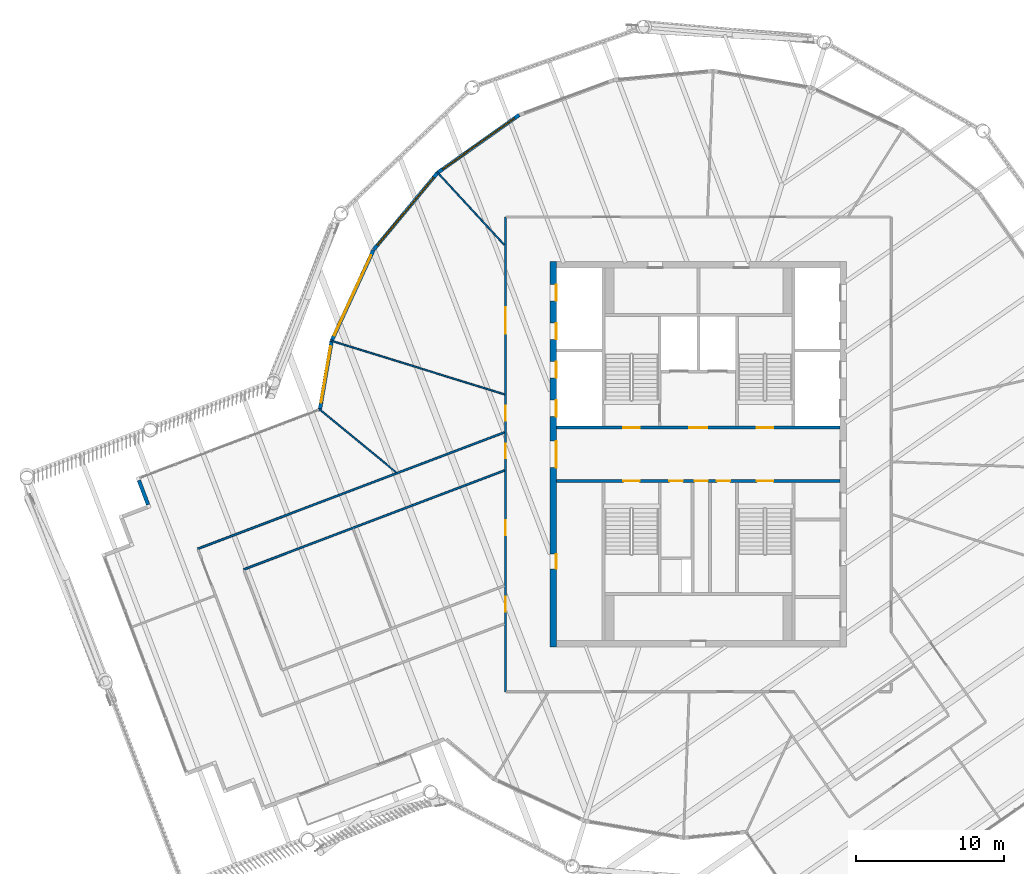
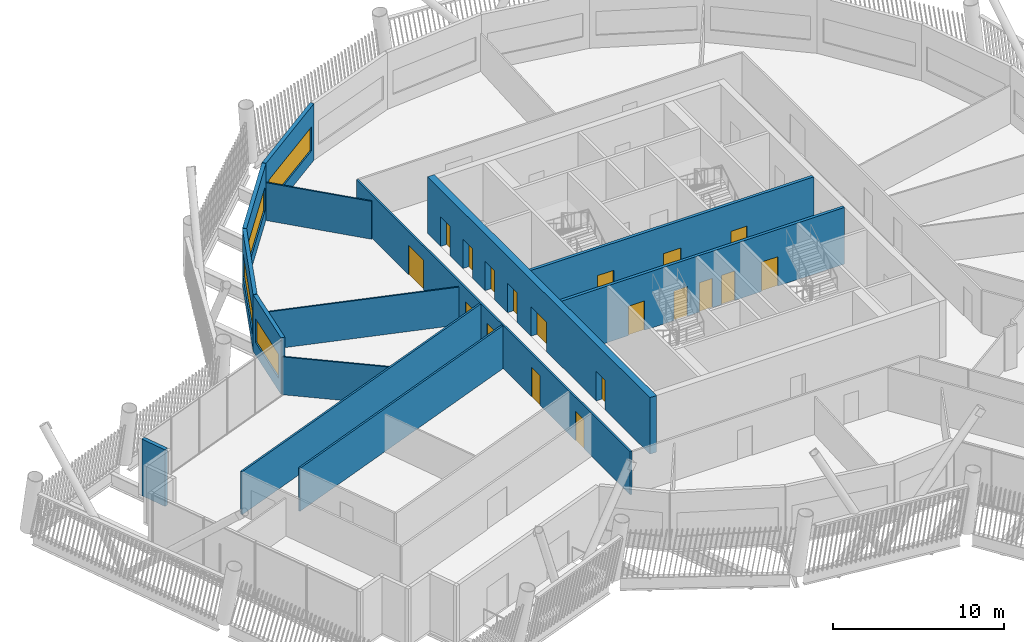
# One storey, part 18 of 33: 19 doors, 14 walls, 4 windows, 23 openings.
"""IFC4 building model written with IfcOpenShell, lengths in metres."""

from ifc_helpers import new_model, si_unit, direction, frame, frame_2d, origin, place, context, subcontext, project, spatial, rectangle, extrude, material, layer, layer_set, type_object, element, fill, save


model = new_model("IFC4")

# Units and contexts
model_context = context("Model", 3, precision=1e-05, world=origin(), true_north=direction((0.0, 1.0)))
body_context = subcontext(model_context, "Body", "Model", "MODEL_VIEW")
ifc_project = project(units=[si_unit("LENGTHUNIT", "METRE"), si_unit("AREAUNIT", "SQUARE_METRE"), si_unit("VOLUMEUNIT", "CUBIC_METRE"), si_unit("PLANEANGLEUNIT", "RADIAN"), si_unit("MASSUNIT", "GRAM", prefix="KILO")], contexts=[model_context])

# Site, building, storey
site_placement = place(None, origin())
site = spatial("IfcSite", under=ifc_project, at=site_placement, CompositionType="ELEMENT")
building_placement = place(site_placement, origin())
building = spatial("IfcBuilding", under=site, at=building_placement, Name="Tarsis Ring Headquarters", CompositionType="ELEMENT")
storey_placement = place(building_placement, frame((0.0, 0.0, 369.199951171875)))
storey = spatial("IfcBuildingStorey", under=building, at=storey_placement, Name="L87", CompositionType="ELEMENT", Elevation=369.199951171875)

# Wall, openings, doors
ifc_material_1 = material(Name="Concrete C50/60", Category="concrete")
ifc_layer_1 = layer(ifc_material_1, 0.449951171875)
ifc_layer_set_1 = layer_set([ifc_layer_1], Name="Core wall 450 C50/60")
wall_type_1 = type_object("IfcWallType", Name="Core wall 450 C50/60", PredefinedType="SHEAR", material=ifc_layer_set_1)
wall_1_placement = place(storey_placement, frame((-9.77490234375, -13.0, 0.0), z_axis=(0.0, 0.0, 1.0), x_axis=(0.0, 1.0, 0.0)))
wall_1 = element("IfcWall", 1, at=wall_1_placement, inside=storey, type_object=wall_type_1, Name="Core wall OW", PredefinedType="SHEAR", context=body_context, shape_type="SweptSolid", body=[
    extrude(rectangle(XDim=26.0, YDim=0.449951171875, at=frame_2d((13.0, 0.0))), origin(), (0.0, 0.0, 1.0), 4.0400390625),
])
opening_1_placement = place(wall_1_placement, frame((5.27490234375, 0.0, 0.0)))
opening_1 = element("IfcOpeningElement", 2, at=opening_1_placement, cuts=wall_1, Name="Opening L87-C01", PredefinedType="OPENING", context=body_context, shape_type="SweptSolid", body=[
    extrude(rectangle(XDim=1.0, YDim=2.10009765625, at=frame_2d((0.5, 1.050048828125))), frame((0.0, 0.23486328125, 0.0), z_axis=(0.0, -1.0, 0.0), x_axis=(1.0, 0.0, 0.0)), (0.0, 0.0, 1.0), 0.469970703125),
])
opening_2_placement = place(wall_1_placement, frame((12.10009765625, 0.0, 0.0)))
opening_2 = element("IfcOpeningElement", 3, at=opening_2_placement, cuts=wall_1, Name="Opening L87-C02", PredefinedType="OPENING", context=body_context, shape_type="SweptSolid", body=[
    extrude(rectangle(XDim=1.800048828125, YDim=2.10009765625, at=frame_2d((0.89990234375, 1.050048828125))), frame((0.0, 0.23486328125, 0.0), z_axis=(0.0, -1.0, 0.0), x_axis=(1.0, 0.0, 0.0)), (0.0, 0.0, 1.0), 0.469970703125),
])
opening_3_placement = place(wall_1_placement, frame((15.550048828125, 0.0, 0.0)))
opening_3 = element("IfcOpeningElement", 4, at=opening_3_placement, cuts=wall_1, Name="Opening LD-HR1", PredefinedType="OPENING", context=body_context, shape_type="SweptSolid", body=[
    extrude(rectangle(XDim=1.10009765625, YDim=2.10009765625, at=frame_2d((0.550048828125, 1.050048828125))), frame((0.0, 0.23486328125, 0.0), z_axis=(0.0, -1.0, 0.0), x_axis=(1.0, 0.0, 0.0)), (0.0, 0.0, 1.0), 0.469970703125),
])
opening_4_placement = place(wall_1_placement, frame((18.14990234375, 0.0, 0.0)))
opening_4 = element("IfcOpeningElement", 5, at=opening_4_placement, cuts=wall_1, Name="Opening LD-HR2", PredefinedType="OPENING", context=body_context, shape_type="SweptSolid", body=[
    extrude(rectangle(XDim=1.10009765625, YDim=2.10009765625, at=frame_2d((0.550048828125, 1.050048828125))), frame((0.0, 0.23486328125, 0.0), z_axis=(0.0, -1.0, 0.0), x_axis=(1.0, 0.0, 0.0)), (0.0, 0.0, 1.0), 0.469970703125),
])
opening_5_placement = place(wall_1_placement, frame((20.75, 0.0, 0.0)))
opening_5 = element("IfcOpeningElement", 6, at=opening_5_placement, cuts=wall_1, Name="Opening LD-HR3", PredefinedType="OPENING", context=body_context, shape_type="SweptSolid", body=[
    extrude(rectangle(XDim=1.10009765625, YDim=2.10009765625, at=frame_2d((0.550048828125, 1.050048828125))), frame((0.0, 0.23486328125, 0.0), z_axis=(0.0, -1.0, 0.0), x_axis=(1.0, 0.0, 0.0)), (0.0, 0.0, 1.0), 0.469970703125),
])
opening_6_placement = place(wall_1_placement, frame((23.35009765625, 0.0, 0.0)))
opening_6 = element("IfcOpeningElement", 7, at=opening_6_placement, cuts=wall_1, Name="Opening LD-HR4", PredefinedType="OPENING", context=body_context, shape_type="SweptSolid", body=[
    extrude(rectangle(XDim=1.10009765625, YDim=2.10009765625, at=frame_2d((0.550048828125, 1.050048828125))), frame((0.0, 0.23486328125, 0.0), z_axis=(0.0, -1.0, 0.0), x_axis=(1.0, 0.0, 0.0)), (0.0, 0.0, 1.0), 0.469970703125),
])
ifc_material_2 = material(Name="Steel S355", Category="steel")
door_type_1 = type_object("IfcDoorType", Name="Core entry door 1800x2100", OperationType="DOUBLE_DOOR_SINGLE_SWING", PredefinedType="DOOR", material=ifc_material_2)
door_1_placement = place(opening_2_placement, origin())
door_1 = element("IfcDoor", 8, at=door_1_placement, inside=storey, type_object=door_type_1, Name="Core entry door L87", OperationType="DOUBLE_DOOR_SINGLE_SWING", OverallHeight=2.10009765625, OverallWidth=1.800048828125, PredefinedType="DOOR", context=body_context, shape_type="SweptSolid", body=[
    extrude(rectangle(XDim=1.800048828125, YDim=2.10009765625, at=frame_2d((0.89990234375, 1.050048828125))), frame((0.0, -0.1748046875, 0.0), z_axis=(0.0, -1.0, 0.0), x_axis=(1.0, 0.0, 0.0)), (0.0, 0.0, 1.0), 0.050048828125),
])
fill(opening_2, door_1)
door_type_2 = type_object("IfcDoorType", Name="Core room door 1000x2100", OperationType="SINGLE_SWING_LEFT", PredefinedType="DOOR", material=ifc_material_2)
door_2_placement = place(opening_1_placement, origin())
door_2 = element("IfcDoor", 9, at=door_2_placement, inside=storey, type_object=door_type_2, Name="Core room door L87", OperationType="SINGLE_SWING_LEFT", OverallHeight=2.10009765625, OverallWidth=1.0, PredefinedType="DOOR", context=body_context, shape_type="SweptSolid", body=[
    extrude(rectangle(XDim=1.0, YDim=2.10009765625, at=frame_2d((0.5, 1.050048828125))), frame((0.0, -0.1748046875, 0.0), z_axis=(0.0, -1.0, 0.0), x_axis=(1.0, 0.0, 0.0)), (0.0, 0.0, 1.0), 0.050048828125),
])
fill(opening_1, door_2)
door_type_3 = type_object("IfcDoorType", Name="Landing door 1100x2100", OperationType="SLIDING_TO_LEFT", PredefinedType="DOOR", material=ifc_material_2)
door_3_placement = place(opening_3_placement, origin())
door_3 = element("IfcDoor", 10, at=door_3_placement, inside=storey, type_object=door_type_3, Name="Landing door HR1 L87", OperationType="SLIDING_TO_LEFT", OverallHeight=2.10009765625, OverallWidth=1.10009765625, PredefinedType="DOOR", context=body_context, shape_type="SweptSolid", body=[
    extrude(rectangle(XDim=1.10009765625, YDim=2.10009765625, at=frame_2d((0.550048828125, 1.050048828125))), frame((0.0, -0.1748046875, 0.0), z_axis=(0.0, -1.0, 0.0), x_axis=(1.0, 0.0, 0.0)), (0.0, 0.0, 1.0), 0.050048828125),
])
fill(opening_3, door_3)
door_4_placement = place(opening_4_placement, origin())
door_4 = element("IfcDoor", 11, at=door_4_placement, inside=storey, type_object=door_type_3, Name="Landing door HR2 L87", OperationType="SLIDING_TO_LEFT", OverallHeight=2.10009765625, OverallWidth=1.10009765625, PredefinedType="DOOR", context=body_context, shape_type="SweptSolid", body=[
    extrude(rectangle(XDim=1.10009765625, YDim=2.10009765625, at=frame_2d((0.550048828125, 1.050048828125))), frame((0.0, -0.1748046875, 0.0), z_axis=(0.0, -1.0, 0.0), x_axis=(1.0, 0.0, 0.0)), (0.0, 0.0, 1.0), 0.050048828125),
])
fill(opening_4, door_4)
door_5_placement = place(opening_5_placement, origin())
door_5 = element("IfcDoor", 12, at=door_5_placement, inside=storey, type_object=door_type_3, Name="Landing door HR3 L87", OperationType="SLIDING_TO_LEFT", OverallHeight=2.10009765625, OverallWidth=1.10009765625, PredefinedType="DOOR", context=body_context, shape_type="SweptSolid", body=[
    extrude(rectangle(XDim=1.10009765625, YDim=2.10009765625, at=frame_2d((0.550048828125, 1.050048828125))), frame((0.0, -0.1748046875, 0.0), z_axis=(0.0, -1.0, 0.0), x_axis=(1.0, 0.0, 0.0)), (0.0, 0.0, 1.0), 0.050048828125),
])
fill(opening_5, door_5)
door_6_placement = place(opening_6_placement, origin())
door_6 = element("IfcDoor", 13, at=door_6_placement, inside=storey, type_object=door_type_3, Name="Landing door HR4 L87", OperationType="SLIDING_TO_LEFT", OverallHeight=2.10009765625, OverallWidth=1.10009765625, PredefinedType="DOOR", context=body_context, shape_type="SweptSolid", body=[
    extrude(rectangle(XDim=1.10009765625, YDim=2.10009765625, at=frame_2d((0.550048828125, 1.050048828125))), frame((0.0, -0.1748046875, 0.0), z_axis=(0.0, -1.0, 0.0), x_axis=(1.0, 0.0, 0.0)), (0.0, 0.0, 1.0), 0.050048828125),
])
fill(opening_6, door_6)

# Walls
ifc_material_3 = material(Name="Gypsum board on steel studs", Category="steel")
ifc_layer_2 = layer(ifc_material_3, 0.10009765625)
ifc_layer_set_2 = layer_set([ifc_layer_2], Name="FL partition 100 unrated")
wall_type_2 = type_object("IfcWallType", Name="FL partition 100 unrated", PredefinedType="PARTITIONING", material=ifc_layer_set_2)
wall_2_placement = place(storey_placement, frame((-24.787353515625, 7.673095703125, 0.0), z_axis=(0.0, 0.0, 1.0), x_axis=(0.955276388651, -0.295714425224, 0.0)))
element("IfcWall", 14, at=wall_2_placement, inside=storey, type_object=wall_type_2, Name="Partition PW3", PredefinedType="PARTITIONING", context=body_context, shape_type="SweptSolid", body=[
    extrude(rectangle(XDim=12.269287109375, YDim=0.10009765625, at=frame_2d((6.134765625, 0.0))), origin(), (0.0, 0.0, 1.0), 2.699951171875),
])
wall_3_placement = place(storey_placement, frame((-17.6298828125, 19.038818359375, 0.0), z_axis=(0.0, 0.0, 1.0), x_axis=(0.679410944745, -0.733757976557, 0.0)))
element("IfcWall", 15, at=wall_3_placement, inside=storey, type_object=wall_type_2, Name="Partition PW3", PredefinedType="PARTITIONING", context=body_context, shape_type="SweptSolid", body=[
    extrude(rectangle(XDim=6.6845703125, YDim=0.10009765625, at=frame_2d((3.34228515625, 0.0))), origin(), (0.0, 0.0, 1.0), 2.699951171875),
])
wall_4_placement = place(storey_placement, frame((-25.55126953125, 3.05029296875, 0.0), z_axis=(0.0, 0.0, 1.0), x_axis=(0.77218583475, -0.635396755273, 0.0)))
element("IfcWall", 16, at=wall_4_placement, inside=storey, type_object=wall_type_2, Name="Partition PW3", PredefinedType="PARTITIONING", context=body_context, shape_type="SweptSolid", body=[
    extrude(rectangle(XDim=6.6982421875, YDim=0.10009765625, at=frame_2d((3.34912109375, 0.0))), origin(), (0.0, 0.0, 1.0), 2.699951171875),
])

# Wall, openings, doors
ifc_layer_3 = layer(ifc_material_3, 0.125)
ifc_layer_set_3 = layer_set([ifc_layer_3], Name="FL partition 125 EI 60 H3070")
wall_type_3 = type_object("IfcWallType", Name="FL partition 125 EI 60 H3070", PredefinedType="PARTITIONING", material=ifc_layer_set_3)
wall_5_placement = place(storey_placement, frame((-13.0, -16.0, 0.0), z_axis=(0.0, 0.0, 1.0), x_axis=(0.0, 1.0, 0.0)))
wall_5 = element("IfcWall", 17, at=wall_5_placement, inside=storey, type_object=wall_type_3, Name="Partition PW1H307", PredefinedType="PARTITIONING", context=body_context, shape_type="SweptSolid", body=[
    extrude(rectangle(XDim=32.0, YDim=0.125, at=frame_2d((16.0, 0.0))), origin(), (0.0, 0.0, 1.0), 3.070068359375),
])
opening_7_placement = place(wall_5_placement, frame((18.268310546875, 0.0, 0.0)))
opening_7 = element("IfcOpeningElement", 18, at=opening_7_placement, cuts=wall_5, Name="Opening D87.03", PredefinedType="OPENING", context=body_context, shape_type="SweptSolid", body=[
    extrude(rectangle(XDim=1.0, YDim=2.10009765625, at=frame_2d((0.5, 1.050048828125))), frame((0.0, 0.072509765625, 0.0), z_axis=(0.0, -1.0, 0.0), x_axis=(1.0, 0.0, 0.0)), (0.0, 0.0, 1.0), 0.14501953125),
])
opening_8_placement = place(wall_5_placement, frame((24.13134765625, 0.0, 0.0)))
opening_8 = element("IfcOpeningElement", 19, at=opening_8_placement, cuts=wall_5, Name="Opening D87.04", PredefinedType="OPENING", context=body_context, shape_type="SweptSolid", body=[
    extrude(rectangle(XDim=1.800048828125, YDim=2.10009765625, at=frame_2d((0.89990234375, 1.050048828125))), frame((0.0, 0.072509765625, 0.0), z_axis=(0.0, -1.0, 0.0), x_axis=(1.0, 0.0, 0.0)), (0.0, 0.0, 1.0), 0.14501953125),
])
opening_9_placement = place(wall_5_placement, frame((10.561767578125, 0.0, 0.0)))
opening_9 = element("IfcOpeningElement", 20, at=opening_9_placement, cuts=wall_5, Name="Opening D87.14", PredefinedType="OPENING", context=body_context, shape_type="SweptSolid", body=[
    extrude(rectangle(XDim=1.0, YDim=2.10009765625, at=frame_2d((0.5, 1.050048828125))), frame((0.0, 0.072509765625, 0.0), z_axis=(0.0, -1.0, 0.0), x_axis=(1.0, 0.0, 0.0)), (0.0, 0.0, 1.0), 0.14501953125),
])
opening_10_placement = place(wall_5_placement, frame((5.39501953125, 0.0, 0.0)))
opening_10 = element("IfcOpeningElement", 21, at=opening_10_placement, cuts=wall_5, Name="Opening D87.19", PredefinedType="OPENING", context=body_context, shape_type="SweptSolid", body=[
    extrude(rectangle(XDim=1.0, YDim=2.10009765625, at=frame_2d((0.5, 1.050048828125))), frame((0.0, 0.072509765625, 0.0), z_axis=(0.0, -1.0, 0.0), x_axis=(1.0, 0.0, 0.0)), (0.0, 0.0, 1.0), 0.14501953125),
])
opening_11_placement = place(wall_5_placement, frame((15.728515625, 0.0, 0.0)))
opening_11 = element("IfcOpeningElement", 22, at=opening_11_placement, cuts=wall_5, Name="Opening D87.20", PredefinedType="OPENING", context=body_context, shape_type="SweptSolid", body=[
    extrude(rectangle(XDim=1.0, YDim=2.10009765625, at=frame_2d((0.5, 1.050048828125))), frame((0.0, 0.072509765625, 0.0), z_axis=(0.0, -1.0, 0.0), x_axis=(1.0, 0.0, 0.0)), (0.0, 0.0, 1.0), 0.14501953125),
])
ifc_material_4 = material(Name="Fire-rated timber door leaf in steel frame", Category="steel")
door_type_4 = type_object("IfcDoorType", Name="FL door FD60-1000", OperationType="NOTDEFINED", PredefinedType="DOOR", material=ifc_material_4)
door_7_placement = place(opening_7_placement, origin())
door_7 = element("IfcDoor", 23, at=door_7_placement, inside=storey, type_object=door_type_4, Name="Door D87.03", OperationType="SINGLE_SWING_RIGHT", OverallHeight=2.10009765625, OverallWidth=1.0, PredefinedType="DOOR", context=body_context, shape_type="SweptSolid", body=[
    extrude(rectangle(XDim=1.0, YDim=2.10009765625, at=frame_2d((0.5, 1.050048828125))), frame((0.0, 0.02490234375, 0.0), z_axis=(0.0, -1.0, 0.0), x_axis=(1.0, 0.0, 0.0)), (0.0, 0.0, 1.0), 0.050048828125),
])
fill(opening_7, door_7)
door_8_placement = place(opening_9_placement, origin())
door_8 = element("IfcDoor", 24, at=door_8_placement, inside=storey, type_object=door_type_4, Name="Door D87.14", OperationType="SINGLE_SWING_LEFT", OverallHeight=2.10009765625, OverallWidth=1.0, PredefinedType="DOOR", context=body_context, shape_type="SweptSolid", body=[
    extrude(rectangle(XDim=1.0, YDim=2.10009765625, at=frame_2d((0.5, 1.050048828125))), frame((0.0, 0.02490234375, 0.0), z_axis=(0.0, -1.0, 0.0), x_axis=(1.0, 0.0, 0.0)), (0.0, 0.0, 1.0), 0.050048828125),
])
fill(opening_9, door_8)
door_9_placement = place(opening_10_placement, origin())
door_9 = element("IfcDoor", 25, at=door_9_placement, inside=storey, type_object=door_type_4, Name="Door D87.19", OperationType="SINGLE_SWING_RIGHT", OverallHeight=2.10009765625, OverallWidth=1.0, PredefinedType="DOOR", context=body_context, shape_type="SweptSolid", body=[
    extrude(rectangle(XDim=1.0, YDim=2.10009765625, at=frame_2d((0.5, 1.050048828125))), frame((0.0, 0.02490234375, 0.0), z_axis=(0.0, -1.0, 0.0), x_axis=(1.0, 0.0, 0.0)), (0.0, 0.0, 1.0), 0.050048828125),
])
fill(opening_10, door_9)
door_10_placement = place(opening_11_placement, origin())
door_10 = element("IfcDoor", 26, at=door_10_placement, inside=storey, type_object=door_type_4, Name="Door D87.20", OperationType="SINGLE_SWING_LEFT", OverallHeight=2.10009765625, OverallWidth=1.0, PredefinedType="DOOR", context=body_context, shape_type="SweptSolid", body=[
    extrude(rectangle(XDim=1.0, YDim=2.10009765625, at=frame_2d((0.5, 1.050048828125))), frame((0.0, 0.02490234375, 0.0), z_axis=(0.0, -1.0, 0.0), x_axis=(1.0, 0.0, 0.0)), (0.0, 0.0, 1.0), 0.050048828125),
])
fill(opening_11, door_10)
door_type_5 = type_object("IfcDoorType", Name="FL door FD60-1800", OperationType="DOUBLE_DOOR_SINGLE_SWING", PredefinedType="DOOR", material=ifc_material_4)
door_11_placement = place(opening_8_placement, origin())
door_11 = element("IfcDoor", 27, at=door_11_placement, inside=storey, type_object=door_type_5, Name="Door D87.04", OperationType="DOUBLE_DOOR_SINGLE_SWING", OverallHeight=2.10009765625, OverallWidth=1.800048828125, PredefinedType="DOOR", context=body_context, shape_type="SweptSolid", body=[
    extrude(rectangle(XDim=1.800048828125, YDim=2.10009765625, at=frame_2d((0.89990234375, 1.050048828125))), frame((0.0, 0.02490234375, 0.0), z_axis=(0.0, -1.0, 0.0), x_axis=(1.0, 0.0, 0.0)), (0.0, 0.0, 1.0), 0.050048828125),
])
fill(opening_8, door_11)

# Walls
wall_6_placement = place(storey_placement, frame((-33.73828125, -6.365478515625, 0.0), z_axis=(0.0, 0.0, 1.0), x_axis=(0.934825530345, 0.35510734689, 0.0)))
element("IfcWall", 28, at=wall_6_placement, inside=storey, type_object=wall_type_3, Name="Partition PW1H307", PredefinedType="PARTITIONING", context=body_context, shape_type="SweptSolid", body=[
    extrude(rectangle(XDim=22.104248046875, YDim=0.125, at=frame_2d((11.05224609375, 0.0))), origin(), (0.0, 0.0, 1.0), 3.070068359375),
])
wall_7_placement = place(storey_placement, frame((-30.642578125, -7.7568359375, 0.0), z_axis=(0.0, 0.0, 1.0), x_axis=(0.934826883978, 0.35510378341, 0.0)))
element("IfcWall", 29, at=wall_7_placement, inside=storey, type_object=wall_type_3, Name="Partition PW1H307", PredefinedType="PARTITIONING", context=body_context, shape_type="SweptSolid", body=[
    extrude(rectangle(XDim=18.792724609375, YDim=0.125, at=frame_2d((9.396484375, 0.0))), origin(), (0.0, 0.0, 1.0), 3.070068359375),
])

# Wall, opening, window
ifc_material_5 = material(Name="Terracotta clad insulated panel wall", Category="masonry")
ifc_layer_4 = layer(ifc_material_5, 0.25)
ifc_layer_set_4 = layer_set([ifc_layer_4], Name="Facade wall terracotta panel 250")
wall_type_4 = type_object("IfcWallType", Name="Facade wall terracotta panel 250", PredefinedType="STANDARD", material=ifc_layer_set_4)
wall_8_placement = place(storey_placement, frame((-12.08056640625, 22.878173828125, 0.0), z_axis=(0.0, 0.0, 1.0), x_axis=(-0.816131540395, -0.577866168566, 0.0)))
wall_8 = element("IfcWall", 30, at=wall_8_placement, inside=storey, type_object=wall_type_4, Name="External wall L87-27", PredefinedType="STANDARD", context=body_context, shape_type="SweptSolid", body=[
    extrude(rectangle(XDim=6.7216796875, YDim=0.25, at=frame_2d((3.36083984375, 0.0))), origin(), (0.0, 0.0, 1.0), 4.0400390625),
])
opening_12_placement = place(wall_8_placement, frame((0.3857421875, 0.0, 0.89990234375)))
opening_12 = element("IfcOpeningElement", 31, at=opening_12_placement, cuts=wall_8, Name="Opening WN07", PredefinedType="OPENING", context=body_context, shape_type="SweptSolid", body=[
    extrude(rectangle(XDim=5.949951171875, YDim=1.699951171875, at=frame_2d((2.97509765625, 0.85009765625))), frame((0.0, 0.135009765625, 0.0), z_axis=(0.0, -1.0, 0.0), x_axis=(1.0, 0.0, 0.0)), (0.0, 0.0, 1.0), 0.27001953125),
])
ifc_material_6 = material(Name="Aluminium framed double glazing", Category="aluminium")
window_type_1 = type_object("IfcWindowType", Name="Facade window 5950 x 1700", PartitioningType="SINGLE_PANEL", PredefinedType="WINDOW", material=ifc_material_6)
window_1_placement = place(opening_12_placement, origin())
window_1 = element("IfcWindow", 32, at=window_1_placement, inside=storey, type_object=window_type_1, Name="Window L87-27.1", OverallHeight=1.699951171875, OverallWidth=5.949951171875, PartitioningType="SINGLE_PANEL", PredefinedType="WINDOW", context=body_context, shape_type="SweptSolid", body=[
    extrude(rectangle(XDim=5.949951171875, YDim=1.699951171875, at=frame_2d((2.97509765625, 0.85009765625))), frame((0.0, 0.030029296875, 0.0), z_axis=(0.0, -1.0, 0.0), x_axis=(1.0, 0.0, 0.0)), (0.0, 0.0, 1.0), 0.06005859375),
])
fill(opening_12, window_1)

wall_9_placement = place(storey_placement, frame((-17.59033203125, 18.971923828125, 0.0), z_axis=(0.0, 0.0, 1.0), x_axis=(-0.638757809872, -0.769407863443, 0.0)))
wall_9 = element("IfcWall", 33, at=wall_9_placement, inside=storey, type_object=wall_type_4, Name="External wall L87-28", PredefinedType="STANDARD", context=body_context, shape_type="SweptSolid", body=[
    extrude(rectangle(XDim=6.7216796875, YDim=0.25, at=frame_2d((3.36083984375, 0.0))), origin(), (0.0, 0.0, 1.0), 4.0400390625),
])
opening_13_placement = place(wall_9_placement, frame((0.3857421875, 0.0, 0.89990234375)))
opening_13 = element("IfcOpeningElement", 34, at=opening_13_placement, cuts=wall_9, Name="Opening WN07", PredefinedType="OPENING", context=body_context, shape_type="SweptSolid", body=[
    extrude(rectangle(XDim=5.949951171875, YDim=1.699951171875, at=frame_2d((2.97509765625, 0.85009765625))), frame((0.0, 0.135009765625, 0.0), z_axis=(0.0, -1.0, 0.0), x_axis=(1.0, 0.0, 0.0)), (0.0, 0.0, 1.0), 0.27001953125),
])
window_2_placement = place(opening_13_placement, origin())
window_2 = element("IfcWindow", 35, at=window_2_placement, inside=storey, type_object=window_type_1, Name="Window L87-28.1", OverallHeight=1.699951171875, OverallWidth=5.949951171875, PartitioningType="SINGLE_PANEL", PredefinedType="WINDOW", context=body_context, shape_type="SweptSolid", body=[
    extrude(rectangle(XDim=5.949951171875, YDim=1.699951171875, at=frame_2d((2.97509765625, 0.85009765625))), frame((0.0, 0.030029296875, 0.0), z_axis=(0.0, -1.0, 0.0), x_axis=(1.0, 0.0, 0.0)), (0.0, 0.0, 1.0), 0.06005859375),
])
fill(opening_13, window_2)

wall_10_placement = place(storey_placement, frame((-21.901123046875, 13.772705078125, 0.0), z_axis=(0.0, 0.0, 1.0), x_axis=(-0.417876229633, -0.908503966259, 0.0)))
wall_10 = element("IfcWall", 36, at=wall_10_placement, inside=storey, type_object=wall_type_4, Name="External wall L87-29", PredefinedType="STANDARD", context=body_context, shape_type="SweptSolid", body=[
    extrude(rectangle(XDim=6.7216796875, YDim=0.25, at=frame_2d((3.36083984375, 0.0))), origin(), (0.0, 0.0, 1.0), 4.0400390625),
])
opening_14_placement = place(wall_10_placement, frame((0.3857421875, 0.0, 0.89990234375)))
opening_14 = element("IfcOpeningElement", 37, at=opening_14_placement, cuts=wall_10, Name="Opening WN07", PredefinedType="OPENING", context=body_context, shape_type="SweptSolid", body=[
    extrude(rectangle(XDim=5.949951171875, YDim=1.699951171875, at=frame_2d((2.97509765625, 0.85009765625))), frame((0.0, 0.135009765625, 0.0), z_axis=(0.0, -1.0, 0.0), x_axis=(1.0, 0.0, 0.0)), (0.0, 0.0, 1.0), 0.27001953125),
])
window_3_placement = place(opening_14_placement, origin())
window_3 = element("IfcWindow", 38, at=window_3_placement, inside=storey, type_object=window_type_1, Name="Window L87-29.1", OverallHeight=1.699951171875, OverallWidth=5.949951171875, PartitioningType="SINGLE_PANEL", PredefinedType="WINDOW", context=body_context, shape_type="SweptSolid", body=[
    extrude(rectangle(XDim=5.949951171875, YDim=1.699951171875, at=frame_2d((2.97509765625, 0.85009765625))), frame((0.0, 0.030029296875, 0.0), z_axis=(0.0, -1.0, 0.0), x_axis=(1.0, 0.0, 0.0)), (0.0, 0.0, 1.0), 0.06005859375),
])
fill(opening_14, window_3)

wall_11_placement = place(storey_placement, frame((-24.719482421875, 7.635009765625, 0.0), z_axis=(0.0, 0.0, 1.0), x_axis=(-0.168490035211, -0.985703357017, 0.0)))
wall_11 = element("IfcWall", 39, at=wall_11_placement, inside=storey, type_object=wall_type_4, Name="External wall L87-30", PredefinedType="STANDARD", context=body_context, shape_type="SweptSolid", body=[
    extrude(rectangle(XDim=4.662841796875, YDim=0.25, at=frame_2d((2.33154296875, 0.0))), origin(), (0.0, 0.0, 1.0), 4.0400390625),
])
opening_15_placement = place(wall_11_placement, frame((0.367431640625, 0.0, 0.89990234375)))
opening_15 = element("IfcOpeningElement", 40, at=opening_15_placement, cuts=wall_11, Name="Opening WN02", PredefinedType="OPENING", context=body_context, shape_type="SweptSolid", body=[
    extrude(rectangle(XDim=3.85009765625, YDim=1.699951171875, at=frame_2d((1.925048828125, 0.85009765625))), frame((0.0, 0.135009765625, 0.0), z_axis=(0.0, -1.0, 0.0), x_axis=(1.0, 0.0, 0.0)), (0.0, 0.0, 1.0), 0.27001953125),
])
window_type_2 = type_object("IfcWindowType", Name="Facade window 3850 x 1700", PartitioningType="SINGLE_PANEL", PredefinedType="WINDOW", material=ifc_material_6)
window_4_placement = place(opening_15_placement, origin())
window_4 = element("IfcWindow", 41, at=window_4_placement, inside=storey, type_object=window_type_2, Name="Window L87-30.1", OverallHeight=1.699951171875, OverallWidth=3.85009765625, PartitioningType="SINGLE_PANEL", PredefinedType="WINDOW", context=body_context, shape_type="SweptSolid", body=[
    extrude(rectangle(XDim=3.85009765625, YDim=1.699951171875, at=frame_2d((1.925048828125, 0.85009765625))), frame((0.0, 0.030029296875, 0.0), z_axis=(0.0, -1.0, 0.0), x_axis=(1.0, 0.0, 0.0)), (0.0, 0.0, 1.0), 0.06005859375),
])
fill(opening_15, window_4)

# Wall
wall_12_placement = place(storey_placement, frame((-37.70947265625, -1.75537109375, 0.0), z_axis=(0.0, 0.0, 1.0), x_axis=(0.355217760624, -0.934783580588, 0.0)))
element("IfcWall", 42, at=wall_12_placement, inside=storey, type_object=wall_type_4, Name="External wall L87-32", PredefinedType="STANDARD", context=body_context, shape_type="SweptSolid", body=[
    extrude(rectangle(XDim=1.749755859375, YDim=0.25, at=frame_2d((0.875, 0.0))), origin(), (0.0, 0.0, 1.0), 4.0400390625),
])

# Wall, openings, doors
ifc_material_7 = material(Name="Concrete C32/40", Category="concrete")
ifc_layer_5 = layer(ifc_material_7, 0.199951171875)
ifc_layer_set_5 = layer_set([ifc_layer_5], Name="Shaft wall 200 C32/40")
wall_type_5 = type_object("IfcWallType", Name="Shaft wall 200 C32/40", PredefinedType="SOLIDWALL", material=ifc_layer_set_5)
wall_13_placement = place(storey_placement, frame((-9.550048828125, 1.800048828125, 0.0), z_axis=(0.0, 0.0, 1.0), x_axis=(1.0, 0.0, 0.0)))
wall_13 = element("IfcWall", 43, at=wall_13_placement, inside=storey, type_object=wall_type_5, Name="Core shaft wall CN", PredefinedType="SOLIDWALL", context=body_context, shape_type="SweptSolid", body=[
    extrude(rectangle(XDim=19.10009765625, YDim=0.199951171875, at=frame_2d((9.550048828125, 0.0))), origin(), (0.0, 0.0, 1.0), 4.0400390625),
])
opening_16_placement = place(wall_13_placement, frame((4.5, 0.0, 0.0)))
opening_16 = element("IfcOpeningElement", 44, at=opening_16_placement, cuts=wall_13, Name="Opening L87-C18", PredefinedType="OPENING", context=body_context, shape_type="SweptSolid", body=[
    extrude(rectangle(XDim=1.10009765625, YDim=2.10009765625, at=frame_2d((0.550048828125, 1.050048828125))), frame((0.0, 0.10986328125, 0.0), z_axis=(0.0, -1.0, 0.0), x_axis=(1.0, 0.0, 0.0)), (0.0, 0.0, 1.0), 0.219970703125),
])
opening_17_placement = place(wall_13_placement, frame((8.949951171875, 0.0, 0.0)))
opening_17 = element("IfcOpeningElement", 45, at=opening_17_placement, cuts=wall_13, Name="Opening L87-C19", PredefinedType="OPENING", context=body_context, shape_type="SweptSolid", body=[
    extrude(rectangle(XDim=1.199951171875, YDim=2.10009765625, at=frame_2d((0.60009765625, 1.050048828125))), frame((0.0, 0.10986328125, 0.0), z_axis=(0.0, -1.0, 0.0), x_axis=(1.0, 0.0, 0.0)), (0.0, 0.0, 1.0), 0.219970703125),
])
opening_18_placement = place(wall_13_placement, frame((13.5, 0.0, 0.0)))
opening_18 = element("IfcOpeningElement", 46, at=opening_18_placement, cuts=wall_13, Name="Opening L87-C20", PredefinedType="OPENING", context=body_context, shape_type="SweptSolid", body=[
    extrude(rectangle(XDim=1.10009765625, YDim=2.10009765625, at=frame_2d((0.550048828125, 1.050048828125))), frame((0.0, 0.10986328125, 0.0), z_axis=(0.0, -1.0, 0.0), x_axis=(1.0, 0.0, 0.0)), (0.0, 0.0, 1.0), 0.219970703125),
])
door_type_6 = type_object("IfcDoorType", Name="Firefighting lobby door 1200x2100", OperationType="DOUBLE_DOOR_SINGLE_SWING", PredefinedType="DOOR", material=ifc_material_2)
door_12_placement = place(opening_17_placement, origin())
door_12 = element("IfcDoor", 47, at=door_12_placement, inside=storey, type_object=door_type_6, Name="Firefighting lobby door L87", OperationType="DOUBLE_DOOR_SINGLE_SWING", OverallHeight=2.10009765625, OverallWidth=1.199951171875, PredefinedType="DOOR", context=body_context, shape_type="SweptSolid", body=[
    extrude(rectangle(XDim=1.199951171875, YDim=2.10009765625, at=frame_2d((0.60009765625, 1.050048828125))), frame((0.0, 0.02490234375, 0.0), z_axis=(0.0, -1.0, 0.0), x_axis=(1.0, 0.0, 0.0)), (0.0, 0.0, 1.0), 0.050048828125),
])
fill(opening_17, door_12)
door_type_7 = type_object("IfcDoorType", Name="Stair door 1100x2100", OperationType="SINGLE_SWING_LEFT", PredefinedType="DOOR", material=ifc_material_2)
door_13_placement = place(opening_16_placement, origin())
door_13 = element("IfcDoor", 48, at=door_13_placement, inside=storey, type_object=door_type_7, Name="Stair door L87", OperationType="SINGLE_SWING_LEFT", OverallHeight=2.10009765625, OverallWidth=1.10009765625, PredefinedType="DOOR", context=body_context, shape_type="SweptSolid", body=[
    extrude(rectangle(XDim=1.10009765625, YDim=2.10009765625, at=frame_2d((0.550048828125, 1.050048828125))), frame((0.0, 0.02490234375, 0.0), z_axis=(0.0, -1.0, 0.0), x_axis=(1.0, 0.0, 0.0)), (0.0, 0.0, 1.0), 0.050048828125),
])
fill(opening_16, door_13)
door_14_placement = place(opening_18_placement, origin())
door_14 = element("IfcDoor", 49, at=door_14_placement, inside=storey, type_object=door_type_7, Name="Stair door L87", OperationType="SINGLE_SWING_LEFT", OverallHeight=2.10009765625, OverallWidth=1.10009765625, PredefinedType="DOOR", context=body_context, shape_type="SweptSolid", body=[
    extrude(rectangle(XDim=1.10009765625, YDim=2.10009765625, at=frame_2d((0.550048828125, 1.050048828125))), frame((0.0, 0.02490234375, 0.0), z_axis=(0.0, -1.0, 0.0), x_axis=(1.0, 0.0, 0.0)), (0.0, 0.0, 1.0), 0.050048828125),
])
fill(opening_18, door_14)

wall_14_placement = place(storey_placement, frame((-9.550048828125, -1.800048828125, 0.0), z_axis=(0.0, 0.0, 1.0), x_axis=(1.0, 0.0, 0.0)))
wall_14 = element("IfcWall", 50, at=wall_14_placement, inside=storey, type_object=wall_type_5, Name="Core shaft wall CS", PredefinedType="SOLIDWALL", context=body_context, shape_type="SweptSolid", body=[
    extrude(rectangle(XDim=19.10009765625, YDim=0.199951171875, at=frame_2d((9.550048828125, 0.0))), origin(), (0.0, 0.0, 1.0), 4.0400390625),
])
opening_19_placement = place(wall_14_placement, frame((4.5, 0.0, 0.0)))
opening_19 = element("IfcOpeningElement", 51, at=opening_19_placement, cuts=wall_14, Name="Opening L87-C21", PredefinedType="OPENING", context=body_context, shape_type="SweptSolid", body=[
    extrude(rectangle(XDim=1.10009765625, YDim=2.10009765625, at=frame_2d((0.550048828125, 1.050048828125))), frame((0.0, 0.10986328125, 0.0), z_axis=(0.0, -1.0, 0.0), x_axis=(1.0, 0.0, 0.0)), (0.0, 0.0, 1.0), 0.219970703125),
])
opening_20_placement = place(wall_14_placement, frame((7.60009765625, 0.0, 0.0)))
opening_20 = element("IfcOpeningElement", 52, at=opening_20_placement, cuts=wall_14, Name="Opening L87-C22", PredefinedType="OPENING", context=body_context, shape_type="SweptSolid", body=[
    extrude(rectangle(XDim=0.89990234375, YDim=2.10009765625, at=frame_2d((0.449951171875, 1.050048828125))), frame((0.0, 0.10986328125, 0.0), z_axis=(0.0, -1.0, 0.0), x_axis=(1.0, 0.0, 0.0)), (0.0, 0.0, 1.0), 0.219970703125),
])
opening_21_placement = place(wall_14_placement, frame((9.300048828125, 0.0, 0.0)))
opening_21 = element("IfcOpeningElement", 53, at=opening_21_placement, cuts=wall_14, Name="Opening L87-C23", PredefinedType="OPENING", context=body_context, shape_type="SweptSolid", body=[
    extrude(rectangle(XDim=0.89990234375, YDim=2.10009765625, at=frame_2d((0.449951171875, 1.050048828125))), frame((0.0, 0.10986328125, 0.0), z_axis=(0.0, -1.0, 0.0), x_axis=(1.0, 0.0, 0.0)), (0.0, 0.0, 1.0), 0.219970703125),
])
opening_22_placement = place(wall_14_placement, frame((10.800048828125, 0.0, 0.0)))
opening_22 = element("IfcOpeningElement", 54, at=opening_22_placement, cuts=wall_14, Name="Opening L87-C24", PredefinedType="OPENING", context=body_context, shape_type="SweptSolid", body=[
    extrude(rectangle(XDim=0.89990234375, YDim=2.10009765625, at=frame_2d((0.449951171875, 1.050048828125))), frame((0.0, 0.10986328125, 0.0), z_axis=(0.0, -1.0, 0.0), x_axis=(1.0, 0.0, 0.0)), (0.0, 0.0, 1.0), 0.219970703125),
])
opening_23_placement = place(wall_14_placement, frame((13.5, 0.0, 0.0)))
opening_23 = element("IfcOpeningElement", 55, at=opening_23_placement, cuts=wall_14, Name="Opening L87-C25", PredefinedType="OPENING", context=body_context, shape_type="SweptSolid", body=[
    extrude(rectangle(XDim=1.10009765625, YDim=2.10009765625, at=frame_2d((0.550048828125, 1.050048828125))), frame((0.0, 0.10986328125, 0.0), z_axis=(0.0, -1.0, 0.0), x_axis=(1.0, 0.0, 0.0)), (0.0, 0.0, 1.0), 0.219970703125),
])
door_15_placement = place(opening_19_placement, origin())
door_15 = element("IfcDoor", 56, at=door_15_placement, inside=storey, type_object=door_type_7, Name="Stair door L87", OperationType="SINGLE_SWING_LEFT", OverallHeight=2.10009765625, OverallWidth=1.10009765625, PredefinedType="DOOR", context=body_context, shape_type="SweptSolid", body=[
    extrude(rectangle(XDim=1.10009765625, YDim=2.10009765625, at=frame_2d((0.550048828125, 1.050048828125))), frame((0.0, 0.02490234375, 0.0), z_axis=(0.0, -1.0, 0.0), x_axis=(1.0, 0.0, 0.0)), (0.0, 0.0, 1.0), 0.050048828125),
])
fill(opening_19, door_15)
door_16_placement = place(opening_23_placement, origin())
door_16 = element("IfcDoor", 57, at=door_16_placement, inside=storey, type_object=door_type_7, Name="Stair door L87", OperationType="SINGLE_SWING_LEFT", OverallHeight=2.10009765625, OverallWidth=1.10009765625, PredefinedType="DOOR", context=body_context, shape_type="SweptSolid", body=[
    extrude(rectangle(XDim=1.10009765625, YDim=2.10009765625, at=frame_2d((0.550048828125, 1.050048828125))), frame((0.0, 0.02490234375, 0.0), z_axis=(0.0, -1.0, 0.0), x_axis=(1.0, 0.0, 0.0)), (0.0, 0.0, 1.0), 0.050048828125),
])
fill(opening_23, door_16)
door_type_8 = type_object("IfcDoorType", Name="WC door 900x2100", OperationType="SINGLE_SWING_LEFT", PredefinedType="DOOR", material=ifc_material_2)
door_17_placement = place(opening_20_placement, origin())
door_17 = element("IfcDoor", 58, at=door_17_placement, inside=storey, type_object=door_type_8, Name="WC door L87", OperationType="SINGLE_SWING_LEFT", OverallHeight=2.10009765625, OverallWidth=0.89990234375, PredefinedType="DOOR", context=body_context, shape_type="SweptSolid", body=[
    extrude(rectangle(XDim=0.89990234375, YDim=2.10009765625, at=frame_2d((0.449951171875, 1.050048828125))), frame((0.0, 0.02490234375, 0.0), z_axis=(0.0, -1.0, 0.0), x_axis=(1.0, 0.0, 0.0)), (0.0, 0.0, 1.0), 0.050048828125),
])
fill(opening_20, door_17)
door_18_placement = place(opening_21_placement, origin())
door_18 = element("IfcDoor", 59, at=door_18_placement, inside=storey, type_object=door_type_8, Name="WC door L87", OperationType="SINGLE_SWING_LEFT", OverallHeight=2.10009765625, OverallWidth=0.89990234375, PredefinedType="DOOR", context=body_context, shape_type="SweptSolid", body=[
    extrude(rectangle(XDim=0.89990234375, YDim=2.10009765625, at=frame_2d((0.449951171875, 1.050048828125))), frame((0.0, 0.02490234375, 0.0), z_axis=(0.0, -1.0, 0.0), x_axis=(1.0, 0.0, 0.0)), (0.0, 0.0, 1.0), 0.050048828125),
])
fill(opening_21, door_18)
door_19_placement = place(opening_22_placement, origin())
door_19 = element("IfcDoor", 60, at=door_19_placement, inside=storey, type_object=door_type_8, Name="WC door L87", OperationType="SINGLE_SWING_LEFT", OverallHeight=2.10009765625, OverallWidth=0.89990234375, PredefinedType="DOOR", context=body_context, shape_type="SweptSolid", body=[
    extrude(rectangle(XDim=0.89990234375, YDim=2.10009765625, at=frame_2d((0.449951171875, 1.050048828125))), frame((0.0, 0.02490234375, 0.0), z_axis=(0.0, -1.0, 0.0), x_axis=(1.0, 0.0, 0.0)), (0.0, 0.0, 1.0), 0.050048828125),
])
fill(opening_22, door_19)

save(model, "model.ifc")
